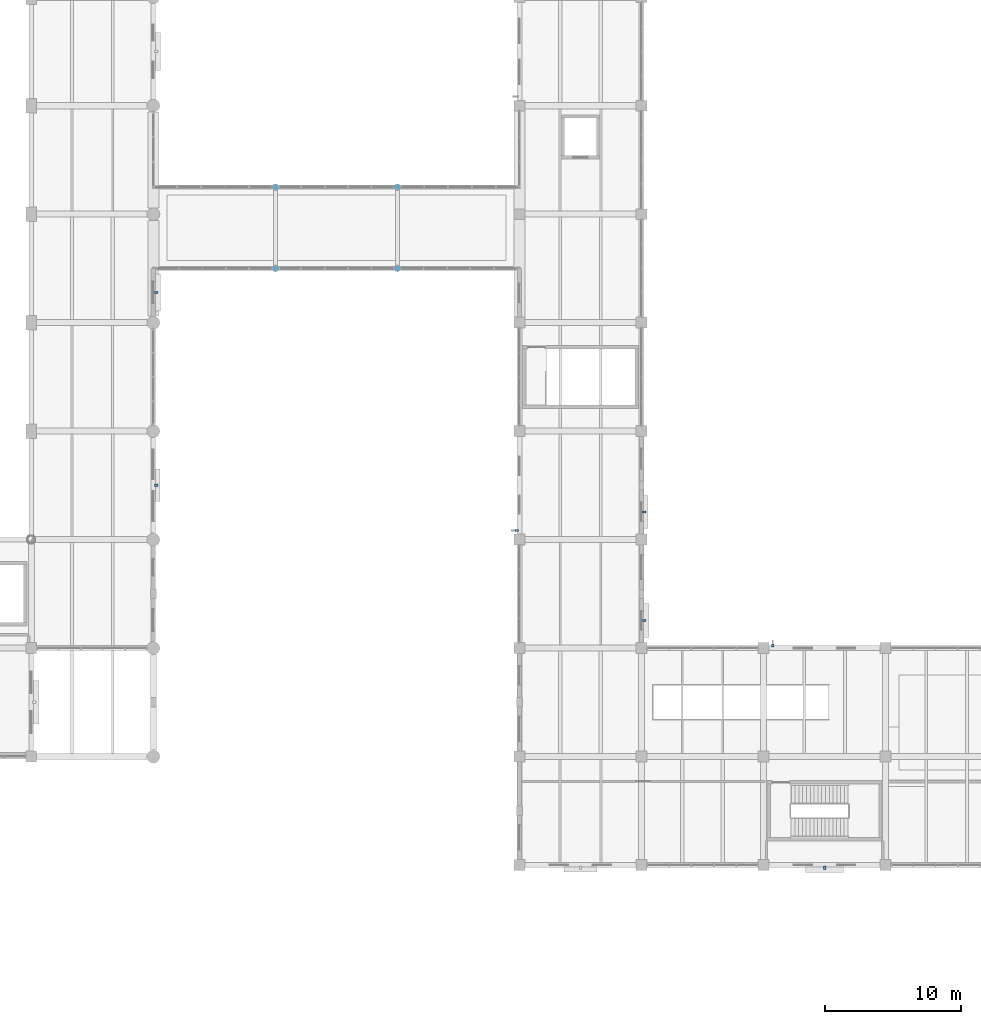
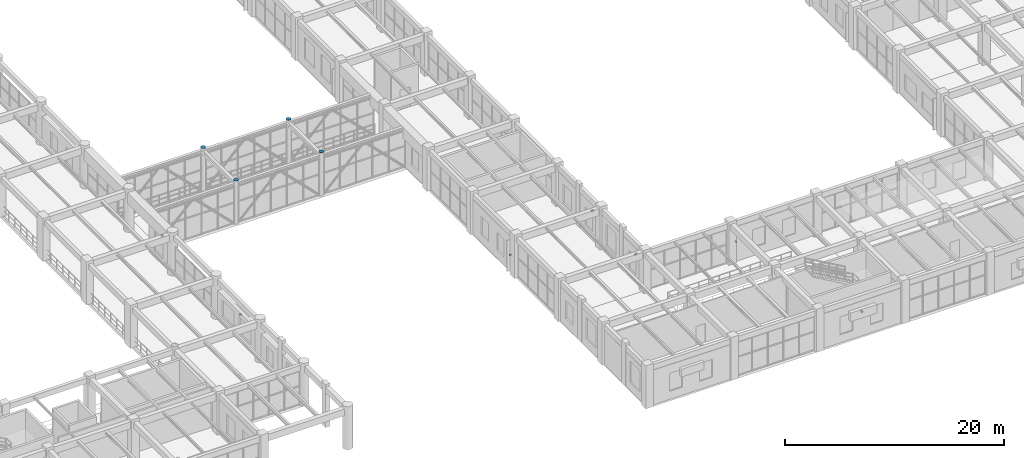
# One storey, part 164 of 178: 11 discrete accessories.
"""IFC4 building model written with IfcOpenShell, lengths in metres."""

import ifcopenshell
import ifcopenshell.guid

model = None  # the IFC model being written
_history = None  # IfcOwnerHistory: only IFC2X3 demands one
_inside = {}  # id of a spatial element -> (the spatial element, [elements in it])
_under = {}  # id of a project, library or spatial element -> (it, [spatial elements below it])
_declared = {}  # id of a project -> (the project, [libraries it declares])
_typed = {}  # id of a type object -> (the type object, [elements of that type])
_made_of = {}  # id of a material, layer set ... -> (it, [elements and type objects made of it])


def new_model(schema):
    """Start an empty IFC model of exactly this schema.

    Asked for "IFC4X3", IfcOpenShell would pick the latest addendum, in which some entities
    have other attributes; the version numbers below select the first issue.
    IFC2X3 requires an IfcOwnerHistory on every rooted entity: one is made here for all.
    """
    global model, _history
    if schema == "IFC4X3":
        model = ifcopenshell.file(schema_version=(4, 3, 0, 0))
    else:
        model = ifcopenshell.file(schema=schema)
    _inside.clear()
    _under.clear()
    _declared.clear()
    _typed.clear()
    _made_of.clear()
    _history = None
    if model.schema == "IFC2X3":
        org = make("IfcOrganization", Name="unknown")
        user = make(
            "IfcPersonAndOrganization",
            ThePerson=make("IfcPerson", FamilyName="unknown"),
            TheOrganization=org,
        )
        app = make(
            "IfcApplication",
            ApplicationDeveloper=org,
            Version="unknown",
            ApplicationFullName="unknown",
            ApplicationIdentifier="unknown",
        )
        _history = make(
            "IfcOwnerHistory",
            OwningUser=user,
            OwningApplication=app,
            ChangeAction="ADDED",
            CreationDate=0,
        )
    return model


def make(cls, **values):
    """One entity of the class cls with the attributes given. An attribute that is None is left unset."""
    return model.create_entity(
        cls, **{name: value for name, value in values.items() if value is not None}
    )


def rooted(cls, **values):
    """An entity with a GlobalId (a new one), such as an element, a storey or a relation."""
    return make(cls, GlobalId=ifcopenshell.guid.new(), OwnerHistory=_history, **values)


def si_unit(unit_type, name, prefix=None):
    """IfcSIUnit, for example si_unit("LENGTHUNIT", "METRE", prefix="MILLI")."""
    return make("IfcSIUnit", UnitType=unit_type, Prefix=prefix, Name=name)


def derived_unit(unit_type, elements):
    """IfcDerivedUnit: a product of units, each with its exponent."""
    return make(
        "IfcDerivedUnit",
        Elements=[
            make("IfcDerivedUnitElement", Unit=unit, Exponent=power)
            for unit, power in elements
        ],
        UnitType=unit_type,
    )


def assignment(units):
    """IfcUnitAssignment: the units of a project."""
    return None if units is None else make("IfcUnitAssignment", Units=units)


def point(xyz):
    """IfcCartesianPoint."""
    return None if xyz is None else make("IfcCartesianPoint", Coordinates=xyz)


def direction(xyz):
    """IfcDirection."""
    return None if xyz is None else make("IfcDirection", DirectionRatios=xyz)


def frame(location, z_axis=None, x_axis=None):
    """IfcAxis2Placement3D, a coordinate frame: its origin and axes. An axis left out is left unset."""
    return make(
        "IfcAxis2Placement3D",
        Location=point(location),
        Axis=direction(z_axis),
        RefDirection=direction(x_axis),
    )


def frame_2d(location, x_axis=None):
    """IfcAxis2Placement2D, a coordinate frame in the plane: its origin and x axis."""
    return make(
        "IfcAxis2Placement2D", Location=point(location), RefDirection=direction(x_axis)
    )


def origin():
    """The frame at (0, 0, 0) with its axes left unset."""
    return frame((0.0, 0.0, 0.0))


def origin_2d():
    """The frame at (0, 0) in the plane with its x axis left unset."""
    return frame_2d((0.0, 0.0))


def place(relative_to, where):
    """IfcLocalPlacement: puts the frame where relative to a parent placement (None: the world)."""
    return make(
        "IfcLocalPlacement", PlacementRelTo=relative_to, RelativePlacement=where
    )


def context(
    kind, dimensions, precision=None, world=None, true_north=None, identifier=None
):
    """IfcGeometricRepresentationContext, for example the 3D "Model" context."""
    return make(
        "IfcGeometricRepresentationContext",
        ContextIdentifier=identifier,
        ContextType=kind,
        CoordinateSpaceDimension=dimensions,
        Precision=precision,
        WorldCoordinateSystem=world,
        TrueNorth=true_north,
    )


def subcontext(parent, identifier, kind, view, scale=None):
    """IfcGeometricRepresentationSubContext, for example "Body" below "Model"."""
    return make(
        "IfcGeometricRepresentationSubContext",
        ContextIdentifier=identifier,
        ContextType=kind,
        ParentContext=parent,
        TargetScale=scale,
        TargetView=view,
    )


def project(units=None, contexts=None):
    """IfcProject with its units and contexts."""
    return rooted(
        "IfcProject",
        Name="project",
        RepresentationContexts=contexts,
        UnitsInContext=assignment(units),
    )


def spatial(cls, under=None, at=None, **own):
    """A site, building, storey or space (cls), placed at a placement, below another one or the project."""
    s = rooted(cls, ObjectPlacement=at, **own)
    if under is not None:
        _under.setdefault(under.id(), (under, []))[1].append(s)
    return s


def profile(cls, at=None, kind="AREA", **sizes):
    """A parametric profile (cls). Its sizes go by their IFC names, for example OverallWidth=200.0."""
    return make(cls, ProfileType=kind, Position=at, **sizes)


def rectangle(**sizes):
    """IfcRectangleProfileDef."""
    return profile("IfcRectangleProfileDef", **sizes)


def circle(**sizes):
    """IfcCircleProfileDef."""
    return profile("IfcCircleProfileDef", **sizes)


def extrude(swept, where, along, depth):
    """IfcExtrudedAreaSolid: the profile swept, set in the frame where, extruded along a direction by depth."""
    return make(
        "IfcExtrudedAreaSolid",
        SweptArea=swept,
        Position=where,
        ExtrudedDirection=direction(along),
        Depth=depth,
    )


def shape(context_of_items, identifier, shape_type, items):
    """IfcShapeRepresentation: the items that make up one representation, for example the "Body"."""
    return make(
        "IfcShapeRepresentation",
        ContextOfItems=context_of_items,
        RepresentationIdentifier=identifier,
        RepresentationType=shape_type,
        Items=items,
    )


def material(Name=None, Category=None):
    """IfcMaterial."""
    return make("IfcMaterial", Name=Name, Category=Category)


def made_of(thing, what):
    """Note that an element or type object is made of a material, layer set ...; save() writes the relation."""
    if what is not None:
        _made_of.setdefault(what.id(), (what, []))[1].append(thing)
    return thing


def type_object(cls, material=None, **own):
    """A type object (cls), such as IfcWallType, which elements share."""
    return made_of(rooted(cls, **own), material)


def element(
    cls,
    number,
    at=None,
    inside=None,
    cuts=None,
    type_object=None,
    material=None,
    context=None,
    identifier="Body",
    shape_type=None,
    held_by="IfcProductDefinitionShape",
    body=None,
    shapes=None,
    **own,
):
    """One element of the class cls, such as IfcWall. Its Tag is "e" and its number.

    at: its placement. inside: the storey or other place that contains it. cuts: it is an
    opening in that element (IfcRelVoidsElement). A single representation is given by context,
    identifier, shape_type and body (its items); several are given by shapes. held_by: the class
    of the entity that holds the representations. save() writes the other relations.
    """
    e = rooted(cls, Tag="e%d" % number, ObjectPlacement=at, **own)
    if body is not None:
        shapes = [shape(context, identifier, shape_type, body)]
    if shapes is not None:
        e.Representation = make(held_by, Representations=shapes)
    if inside is not None:
        _inside.setdefault(inside.id(), (inside, []))[1].append(e)
    if cuts is not None:
        rooted(
            "IfcRelVoidsElement", RelatingBuildingElement=cuts, RelatedOpeningElement=e
        )
    if type_object is not None:
        _typed.setdefault(type_object.id(), (type_object, []))[1].append(e)
    return made_of(e, material)


def aggregate(whole, parts):
    """IfcRelAggregates: a whole, such as a stair, and the parts it consists of."""
    return rooted("IfcRelAggregates", RelatingObject=whole, RelatedObjects=parts)


def save(model, path):
    """Write the relations noted so far, then the file.

    IfcRelAggregates (storeys below a building ...), IfcRelContainedInSpatialStructure (elements
    in a storey), IfcRelDefinesByType, IfcRelAssociatesMaterial and IfcRelDeclares: one each for
    every whole, place, type object, material and project.
    """
    for whole, parts in _under.values():
        aggregate(whole, parts)
    for where, things in _inside.values():
        rooted(
            "IfcRelContainedInSpatialStructure",
            RelatedElements=things,
            RelatingStructure=where,
        )
    for kind, things in _typed.values():
        rooted("IfcRelDefinesByType", RelatedObjects=things, RelatingType=kind)
    for what, things in _made_of.values():
        rooted("IfcRelAssociatesMaterial", RelatedObjects=things, RelatingMaterial=what)
    for by, libraries in _declared.values():
        rooted("IfcRelDeclares", RelatingContext=by, RelatedDefinitions=libraries)
    model.write(path)


model = new_model("IFC4")

# Units and contexts
model_context = context("Model", 3, precision=1e-05, world=origin(), true_north=direction((0.0, 1.0)))
body_context = subcontext(model_context, "Body", "Model", "MODEL_VIEW")
ifc_project = project(units=[si_unit("LENGTHUNIT", "METRE"), si_unit("AREAUNIT", "SQUARE_METRE"), si_unit("VOLUMEUNIT", "CUBIC_METRE"), si_unit("PLANEANGLEUNIT", "RADIAN"), si_unit("MASSUNIT", "GRAM", prefix="KILO"), derived_unit("THERMALTRANSMITTANCEUNIT", [(si_unit("MASSUNIT", "GRAM", prefix="KILO"), 1), (si_unit("TIMEUNIT", "SECOND"), -3), (si_unit("THERMODYNAMICTEMPERATUREUNIT", "KELVIN"), -1)])], contexts=[model_context])

# Site, building, storey
site_placement = place(None, origin())
site = spatial("IfcSite", under=ifc_project, at=site_placement, CompositionType="ELEMENT")
building_placement = place(site_placement, origin())
building = spatial("IfcBuilding", under=site, at=building_placement, Name="Zhenchuan Archway Interchange", CompositionType="ELEMENT")
storey_placement = place(building_placement, frame((0.0, 0.0, 5.39990234375)))
storey = spatial("IfcBuildingStorey", under=building, at=storey_placement, Name="L01", CompositionType="ELEMENT", Elevation=5.39990234375)

# Discrete accessories
ifc_material_1 = material(Name="Stainless Steel 316", Category="steel")
discrete_accessory_type_1 = type_object("IfcDiscreteAccessoryType", Name="BRK_SHD_1", PredefinedType="BRACKET", material=ifc_material_1)
for number, where, z_axis, x_axis, name in (
    (1, (98.800048828125, 32.677978515625, 1.85009765625), (0.0, 0.0, 1.0), (0.0, 1.0, 0.0), "Solar fin stainless fixing bracket L01-050"),
    (2, (117.677978515625, 24.199951171875, 1.85009765625), (0.0, 0.0, 1.0), (1.0, 0.0, 0.0), "Solar fin stainless fixing bracket L01-066"),
):
    element("IfcDiscreteAccessory", number, at=place(storey_placement, frame(where, z_axis=z_axis, x_axis=x_axis)), inside=storey, type_object=discrete_accessory_type_1, Name=name, PredefinedType="BRACKET", context=body_context, shape_type="SweptSolid", body=[
        extrude(rectangle(XDim=0.159912109375, YDim=0.239990234375, at=origin_2d()), origin(), (0.0, 0.0, 1.0), 0.159912109375),
    ])
discrete_accessory_type_2 = type_object("IfcDiscreteAccessoryType", Name="BRK_SHD_2", PredefinedType="BRACKET", material=ifc_material_1)
for number, where, z_axis, x_axis, name in (
    (3, (121.5, 7.800048828125, 2.66015625), (0.0, 0.0, 1.0), (-1.0, 0.0, 0.0), "Storm-louvre stainless fixing bracket L01-048"),
    (4, (72.2099609375, 50.22607421875, 2.64501953125), (0.0, 0.0, 1.0), (0.0, -1.0, 0.0), "Storm-louvre stainless fixing bracket L01-051"),
    (5, (72.2099609375, 36.0, 2.4599609375), (0.0, 0.0, 1.0), (0.0, -1.0, 0.0), "Storm-louvre stainless fixing bracket L01-052"),
    (6, (108.199951171875, 34.03759765625, 2.66015625), (0.0, 0.0, 1.0), (0.0, -1.0, 0.0), "Storm-louvre stainless fixing bracket L01-064"),
    (7, (108.199951171875, 26.03759765625, 2.66015625), (0.0, 0.0, 1.0), (0.0, -1.0, 0.0), "Storm-louvre stainless fixing bracket L01-065"),
):
    element("IfcDiscreteAccessory", number, at=place(storey_placement, frame(where, z_axis=z_axis, x_axis=x_axis)), inside=storey, type_object=discrete_accessory_type_2, Name=name, PredefinedType="BRACKET", context=body_context, shape_type="SweptSolid", body=[
        extrude(rectangle(XDim=0.179931640625, YDim=0.280029296875, at=origin_2d()), origin(), (0.0, 0.0, 1.0), 0.179931640625),
    ])
ifc_material_2 = material(Name="Steel Q390", Category="steel")
discrete_accessory_type_3 = type_object("IfcDiscreteAccessoryType", Name="CAP_COL_STL_CHS457", PredefinedType="USERDEFINED", material=ifc_material_2)
for number, where, z_axis, x_axis, name in (
    (8, (81.0, 52.0, 4.800048828125), (0.0, 0.0, 1.0), (1.0, 0.0, 0.0), "End plate at the end of Footbridge pier column M1S (L01)"),
    (9, (81.0, 58.0, 4.800048828125), (0.0, 0.0, 1.0), (1.0, 0.0, 0.0), "End plate at the end of Footbridge pier column M1N (L01)"),
    (10, (90.0, 52.0, 4.800048828125), (0.0, 0.0, 1.0), (1.0, 0.0, 0.0), "End plate at the end of Footbridge pier column M2S (L01)"),
    (11, (90.0, 58.0, 4.800048828125), (0.0, 0.0, 1.0), (1.0, 0.0, 0.0), "End plate at the end of Footbridge pier column M2N (L01)"),
):
    element("IfcDiscreteAccessory", number, at=place(storey_placement, frame(where, z_axis=z_axis, x_axis=x_axis)), inside=storey, type_object=discrete_accessory_type_3, Name=name, ObjectType="END PLATE", PredefinedType="USERDEFINED", context=body_context, shape_type="SweptSolid", body=[
        extrude(circle(Radius=0.228515625, at=origin_2d()), origin(), (0.0, 0.0, 1.0), 0.025146484375),
    ])

save(model, "model.ifc")
